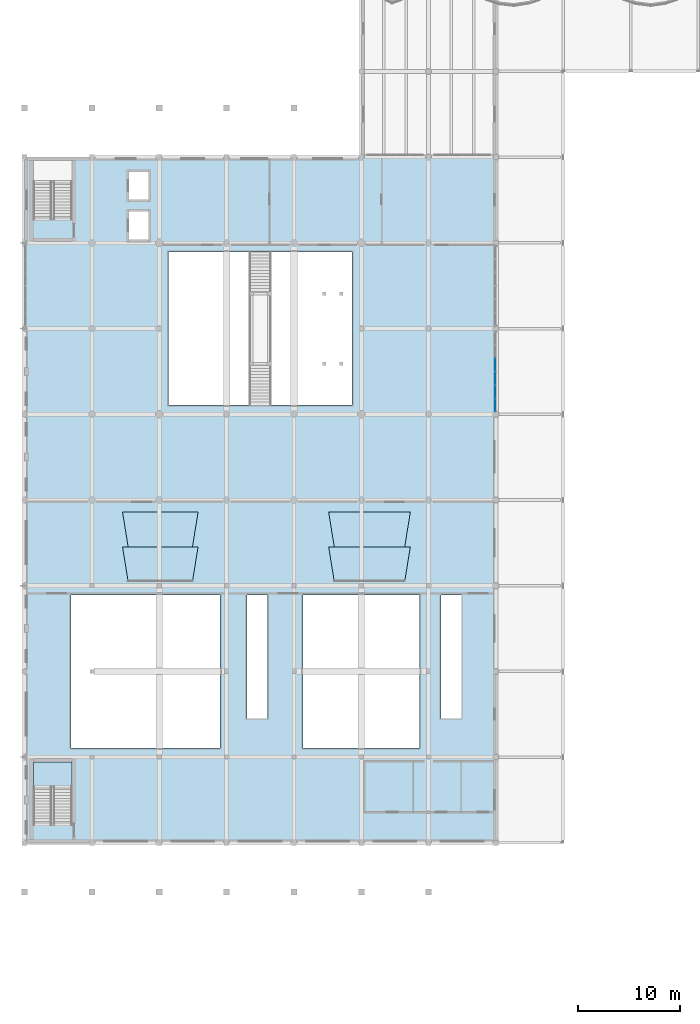
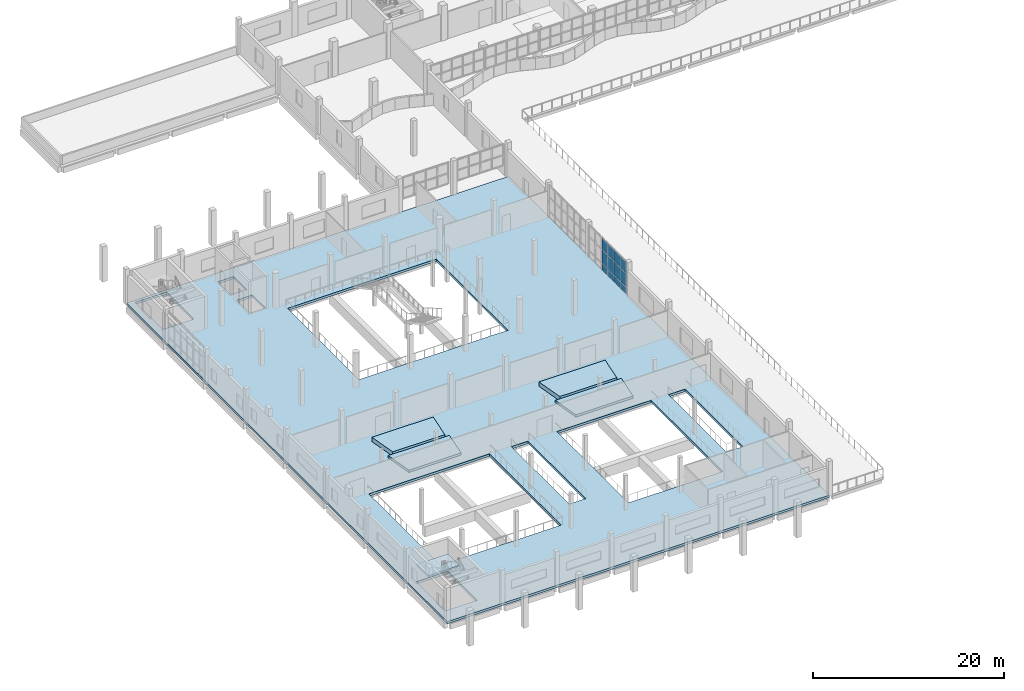
# One storey, part 35 of 83: 12 plates, 6 slabs, 2 elements without a shape of their own.
"""IFC4 building model written with IfcOpenShell, lengths in metres."""

import ifcopenshell
import ifcopenshell.guid

model = None  # the IFC model being written
_history = None  # IfcOwnerHistory: only IFC2X3 demands one
_inside = {}  # id of a spatial element -> (the spatial element, [elements in it])
_under = {}  # id of a project, library or spatial element -> (it, [spatial elements below it])
_declared = {}  # id of a project -> (the project, [libraries it declares])
_typed = {}  # id of a type object -> (the type object, [elements of that type])
_made_of = {}  # id of a material, layer set ... -> (it, [elements and type objects made of it])


def new_model(schema):
    """Start an empty IFC model of exactly this schema.

    Asked for "IFC4X3", IfcOpenShell would pick the latest addendum, in which some entities
    have other attributes; the version numbers below select the first issue.
    IFC2X3 requires an IfcOwnerHistory on every rooted entity: one is made here for all.
    """
    global model, _history
    if schema == "IFC4X3":
        model = ifcopenshell.file(schema_version=(4, 3, 0, 0))
    else:
        model = ifcopenshell.file(schema=schema)
    _inside.clear()
    _under.clear()
    _declared.clear()
    _typed.clear()
    _made_of.clear()
    _history = None
    if model.schema == "IFC2X3":
        org = make("IfcOrganization", Name="unknown")
        user = make(
            "IfcPersonAndOrganization",
            ThePerson=make("IfcPerson", FamilyName="unknown"),
            TheOrganization=org,
        )
        app = make(
            "IfcApplication",
            ApplicationDeveloper=org,
            Version="unknown",
            ApplicationFullName="unknown",
            ApplicationIdentifier="unknown",
        )
        _history = make(
            "IfcOwnerHistory",
            OwningUser=user,
            OwningApplication=app,
            ChangeAction="ADDED",
            CreationDate=0,
        )
    return model


def make(cls, **values):
    """One entity of the class cls with the attributes given. An attribute that is None is left unset."""
    return model.create_entity(
        cls, **{name: value for name, value in values.items() if value is not None}
    )


def rooted(cls, **values):
    """An entity with a GlobalId (a new one), such as an element, a storey or a relation."""
    return make(cls, GlobalId=ifcopenshell.guid.new(), OwnerHistory=_history, **values)


def si_unit(unit_type, name, prefix=None):
    """IfcSIUnit, for example si_unit("LENGTHUNIT", "METRE", prefix="MILLI")."""
    return make("IfcSIUnit", UnitType=unit_type, Prefix=prefix, Name=name)


def assignment(units):
    """IfcUnitAssignment: the units of a project."""
    return None if units is None else make("IfcUnitAssignment", Units=units)


def point(xyz):
    """IfcCartesianPoint."""
    return None if xyz is None else make("IfcCartesianPoint", Coordinates=xyz)


def direction(xyz):
    """IfcDirection."""
    return None if xyz is None else make("IfcDirection", DirectionRatios=xyz)


def frame(location, z_axis=None, x_axis=None):
    """IfcAxis2Placement3D, a coordinate frame: its origin and axes. An axis left out is left unset."""
    return make(
        "IfcAxis2Placement3D",
        Location=point(location),
        Axis=direction(z_axis),
        RefDirection=direction(x_axis),
    )


def frame_2d(location, x_axis=None):
    """IfcAxis2Placement2D, a coordinate frame in the plane: its origin and x axis."""
    return make(
        "IfcAxis2Placement2D", Location=point(location), RefDirection=direction(x_axis)
    )


def origin():
    """The frame at (0, 0, 0) with its axes left unset."""
    return frame((0.0, 0.0, 0.0))


def origin_2d():
    """The frame at (0, 0) in the plane with its x axis left unset."""
    return frame_2d((0.0, 0.0))


def place(relative_to, where):
    """IfcLocalPlacement: puts the frame where relative to a parent placement (None: the world)."""
    return make(
        "IfcLocalPlacement", PlacementRelTo=relative_to, RelativePlacement=where
    )


def context(
    kind, dimensions, precision=None, world=None, true_north=None, identifier=None
):
    """IfcGeometricRepresentationContext, for example the 3D "Model" context."""
    return make(
        "IfcGeometricRepresentationContext",
        ContextIdentifier=identifier,
        ContextType=kind,
        CoordinateSpaceDimension=dimensions,
        Precision=precision,
        WorldCoordinateSystem=world,
        TrueNorth=true_north,
    )


def subcontext(parent, identifier, kind, view, scale=None):
    """IfcGeometricRepresentationSubContext, for example "Body" below "Model"."""
    return make(
        "IfcGeometricRepresentationSubContext",
        ContextIdentifier=identifier,
        ContextType=kind,
        ParentContext=parent,
        TargetScale=scale,
        TargetView=view,
    )


def project(units=None, contexts=None):
    """IfcProject with its units and contexts."""
    return rooted(
        "IfcProject",
        Name="project",
        RepresentationContexts=contexts,
        UnitsInContext=assignment(units),
    )


def spatial(cls, under=None, at=None, **own):
    """A site, building, storey or space (cls), placed at a placement, below another one or the project."""
    s = rooted(cls, ObjectPlacement=at, **own)
    if under is not None:
        _under.setdefault(under.id(), (under, []))[1].append(s)
    return s


def polyline(points):
    """IfcPolyline through the points."""
    return make("IfcPolyline", Points=[point(p) for p in points])


def profile(cls, at=None, kind="AREA", **sizes):
    """A parametric profile (cls). Its sizes go by their IFC names, for example OverallWidth=200.0."""
    return make(cls, ProfileType=kind, Position=at, **sizes)


def rectangle(**sizes):
    """IfcRectangleProfileDef."""
    return profile("IfcRectangleProfileDef", **sizes)


def outline(outer, holes=None, kind="AREA"):
    """IfcArbitraryClosedProfileDef: a profile drawn as a closed curve; with holes, ...WithVoids."""
    if holes is None:
        return make("IfcArbitraryClosedProfileDef", ProfileType=kind, OuterCurve=outer)
    return make(
        "IfcArbitraryProfileDefWithVoids",
        ProfileType=kind,
        OuterCurve=outer,
        InnerCurves=holes,
    )


def extrude(swept, where, along, depth):
    """IfcExtrudedAreaSolid: the profile swept, set in the frame where, extruded along a direction by depth."""
    return make(
        "IfcExtrudedAreaSolid",
        SweptArea=swept,
        Position=where,
        ExtrudedDirection=direction(along),
        Depth=depth,
    )


def shape(context_of_items, identifier, shape_type, items):
    """IfcShapeRepresentation: the items that make up one representation, for example the "Body"."""
    return make(
        "IfcShapeRepresentation",
        ContextOfItems=context_of_items,
        RepresentationIdentifier=identifier,
        RepresentationType=shape_type,
        Items=items,
    )


def material(Name=None, Category=None):
    """IfcMaterial."""
    return make("IfcMaterial", Name=Name, Category=Category)


def layer(
    of_material, thickness, ventilated=None, Name=None, Category=None, Priority=None
):
    """IfcMaterialLayer: one layer of a wall or slab, of a material (None: an air gap)."""
    return make(
        "IfcMaterialLayer",
        Material=of_material,
        LayerThickness=thickness,
        IsVentilated=ventilated,
        Name=Name,
        Category=Category,
        Priority=Priority,
    )


def layer_set(layers, Name=None):
    """IfcMaterialLayerSet."""
    return make("IfcMaterialLayerSet", MaterialLayers=layers, LayerSetName=Name)


def made_of(thing, what):
    """Note that an element or type object is made of a material, layer set ...; save() writes the relation."""
    if what is not None:
        _made_of.setdefault(what.id(), (what, []))[1].append(thing)
    return thing


def type_object(cls, material=None, **own):
    """A type object (cls), such as IfcWallType, which elements share."""
    return made_of(rooted(cls, **own), material)


def element(
    cls,
    number,
    at=None,
    inside=None,
    cuts=None,
    type_object=None,
    material=None,
    context=None,
    identifier="Body",
    shape_type=None,
    held_by="IfcProductDefinitionShape",
    body=None,
    shapes=None,
    **own,
):
    """One element of the class cls, such as IfcWall. Its Tag is "e" and its number.

    at: its placement. inside: the storey or other place that contains it. cuts: it is an
    opening in that element (IfcRelVoidsElement). A single representation is given by context,
    identifier, shape_type and body (its items); several are given by shapes. held_by: the class
    of the entity that holds the representations. save() writes the other relations.
    """
    e = rooted(cls, Tag="e%d" % number, ObjectPlacement=at, **own)
    if body is not None:
        shapes = [shape(context, identifier, shape_type, body)]
    if shapes is not None:
        e.Representation = make(held_by, Representations=shapes)
    if inside is not None:
        _inside.setdefault(inside.id(), (inside, []))[1].append(e)
    if cuts is not None:
        rooted(
            "IfcRelVoidsElement", RelatingBuildingElement=cuts, RelatedOpeningElement=e
        )
    if type_object is not None:
        _typed.setdefault(type_object.id(), (type_object, []))[1].append(e)
    return made_of(e, material)


def aggregate(whole, parts):
    """IfcRelAggregates: a whole, such as a stair, and the parts it consists of."""
    return rooted("IfcRelAggregates", RelatingObject=whole, RelatedObjects=parts)


def save(model, path):
    """Write the relations noted so far, then the file.

    IfcRelAggregates (storeys below a building ...), IfcRelContainedInSpatialStructure (elements
    in a storey), IfcRelDefinesByType, IfcRelAssociatesMaterial and IfcRelDeclares: one each for
    every whole, place, type object, material and project.
    """
    for whole, parts in _under.values():
        aggregate(whole, parts)
    for where, things in _inside.values():
        rooted(
            "IfcRelContainedInSpatialStructure",
            RelatedElements=things,
            RelatingStructure=where,
        )
    for kind, things in _typed.values():
        rooted("IfcRelDefinesByType", RelatedObjects=things, RelatingType=kind)
    for what, things in _made_of.values():
        rooted("IfcRelAssociatesMaterial", RelatedObjects=things, RelatingMaterial=what)
    for by, libraries in _declared.values():
        rooted("IfcRelDeclares", RelatingContext=by, RelatedDefinitions=libraries)
    model.write(path)


model = new_model("IFC4")

# Units and contexts
model_context = context("Model", 3, precision=1e-05, world=origin(), true_north=direction((0.0, 1.0)))
body_context = subcontext(model_context, "Body", "Model", "MODEL_VIEW")
ifc_project = project(units=[si_unit("LENGTHUNIT", "METRE"), si_unit("AREAUNIT", "SQUARE_METRE"), si_unit("VOLUMEUNIT", "CUBIC_METRE"), si_unit("PLANEANGLEUNIT", "RADIAN"), si_unit("MASSUNIT", "GRAM", prefix="KILO")], contexts=[model_context])

# Site, building, storey
site_placement = place(None, origin())
site = spatial("IfcSite", under=ifc_project, at=site_placement, CompositionType="ELEMENT")
building_placement = place(site_placement, origin())
building = spatial("IfcBuilding", under=site, at=building_placement, Name="Qaldarim Faculty of Natural and Applied Sciences", CompositionType="ELEMENT")
storey_placement = place(building_placement, frame((0.0, 0.0, 5.39990234375)))
storey = spatial("IfcBuildingStorey", under=building, at=storey_placement, Name="L01", CompositionType="ELEMENT", Elevation=5.39990234375)

# Slab
ifc_material_1 = material(Name="Concrete C40/50", Category="concrete")
ifc_layer_1 = layer(ifc_material_1, 0.300048828125)
ifc_layer_set_1 = layer_set([ifc_layer_1], Name="Concrete C40/50")
slab_type_1 = type_object("IfcSlabType", Name="PodiumFloorSlab-300", PredefinedType="FLOOR", material=ifc_layer_set_1)
slab_1_placement = place(storey_placement, frame((0.0, 0.0, -0.2998046875)))
element("IfcSlab", 1, at=slab_1_placement, inside=storey, type_object=slab_type_1, Name="Floor slab L01 WEST", PredefinedType="FLOOR", context=body_context, shape_type="SweptSolid", body=[
    extrude(outline(polyline([(0.0, 16.800048828125), (0.0, 84.0), (46.199951171875, 84.0), (46.199951171875, 16.800048828125), (0.0, 16.800048828125)]), holes=[polyline([(4.64990234375, 18.614990234375), (4.64990234375, 24.72509765625), (0.85009765625, 24.72509765625), (0.85009765625, 18.614990234375), (4.64990234375, 18.614990234375)]), polyline([(4.64990234375, 77.9150390625), (4.64990234375, 83.6201171875), (0.85009765625, 83.6201171875), (0.85009765625, 77.9150390625), (4.64990234375, 77.9150390625)]), polyline([(10.25, 75.949951171875), (12.14990234375, 75.949951171875), (12.14990234375, 78.64990234375), (10.25, 78.64990234375), (10.25, 75.949951171875)]), polyline([(10.25, 79.85009765625), (12.14990234375, 79.85009765625), (12.14990234375, 82.550048828125), (10.25, 82.550048828125), (10.25, 79.85009765625)]), polyline([(14.10009765625, 59.699951171875), (32.10009765625, 59.699951171875), (32.10009765625, 74.699951171875), (14.10009765625, 74.699951171875), (14.10009765625, 59.699951171875)]), polyline([(4.550048828125, 26.10009765625), (19.14990234375, 26.10009765625), (19.14990234375, 41.10009765625), (4.550048828125, 41.10009765625), (4.550048828125, 26.10009765625)]), polyline([(27.300048828125, 26.10009765625), (38.699951171875, 26.10009765625), (38.699951171875, 41.10009765625), (27.300048828125, 41.10009765625), (27.300048828125, 26.10009765625)]), polyline([(21.800048828125, 29.0), (23.800048828125, 29.0), (23.800048828125, 41.10009765625), (21.800048828125, 41.10009765625), (21.800048828125, 29.0)]), polyline([(40.800048828125, 29.0), (42.800048828125, 29.0), (42.800048828125, 41.10009765625), (40.800048828125, 41.10009765625), (40.800048828125, 29.0)])]), origin(), (0.0, 0.0, 1.0), 0.2998046875),
])

# Stair, slab
stair_type = type_object("IfcStairType", Name="DoglegStair-W1800-H4500-28R", PredefinedType="HALF_TURN_STAIR", material=ifc_material_1)
stair_placement = place(storey_placement, origin())
stair = element("IfcStair", 2, at=stair_placement, inside=storey, type_object=stair_type, Name="Enclosed exit stair ST-D1 L01", PredefinedType="HALF_TURN_STAIR")
ifc_layer_2 = layer(ifc_material_1, 0.2099609375)
ifc_layer_set_2 = layer_set([ifc_layer_2], Name="Concrete C40/50")
slab_type_2 = type_object("IfcSlabType", Name="StairLandingSlab-210", PredefinedType="LANDING", material=ifc_layer_set_2)
slab_2_placement = place(storey_placement, frame((0.0, 0.0, 2.0400390625)))
slab_2 = element("IfcSlab", 3, at=slab_2_placement, type_object=slab_type_2, Name="ST-D1 L01 half-landing 1", PredefinedType="LANDING", context=body_context, shape_type="SweptSolid", body=[
    extrude(outline(polyline([(4.64990234375, 22.2900390625), (4.64990234375, 24.699951171875), (0.85009765625, 24.699951171875), (0.85009765625, 22.2900390625), (4.64990234375, 22.2900390625)])), origin(), (0.0, 0.0, 1.0), 0.2099609375),
])
aggregate(stair, [slab_2])

# Slabs
ifc_layer_3 = layer(ifc_material_1, 0.280029296875)
ifc_layer_set_3 = layer_set([ifc_layer_3], Name="Concrete C40/50")
slab_type_3 = type_object("IfcSlabType", Name="UpperSeatingTier-280", PredefinedType="USERDEFINED", material=ifc_layer_set_3)
slab_3_placement = place(storey_placement, origin())
element("IfcSlab", 4, at=slab_3_placement, inside=storey, type_object=slab_type_3, Name="Stand lecture theatre 1 upper seating tier 1 vomitory platform", ObjectType="SEATING TIER", PredefinedType="USERDEFINED", context=body_context, shape_type="SweptSolid", body=[
    extrude(outline(polyline([(10.14990234375, 42.39990234375), (16.449951171875, 42.39990234375), (17.0, 45.800048828125), (9.60009765625, 45.800048828125), (10.14990234375, 42.39990234375)])), origin(), (0.0, 0.0, 1.0), 0.280029296875),
])
slab_4_placement = place(storey_placement, origin())
element("IfcSlab", 5, at=slab_4_placement, inside=storey, type_object=slab_type_3, Name="Stand lecture theatre 1 upper seating tier 2 vomitory platform", ObjectType="SEATING TIER", PredefinedType="USERDEFINED", context=body_context, shape_type="SweptSolid", body=[
    extrude(outline(polyline([(10.14990234375, 45.800048828125), (16.449951171875, 45.800048828125), (17.0, 49.199951171875), (9.60009765625, 49.199951171875), (10.14990234375, 45.800048828125)])), origin(), (0.0, 0.0, 1.0), 0.56005859375),
])
slab_5_placement = place(storey_placement, origin())
element("IfcSlab", 6, at=slab_5_placement, inside=storey, type_object=slab_type_3, Name="Stand lecture theatre 2 upper seating tier 1 vomitory platform", ObjectType="SEATING TIER", PredefinedType="USERDEFINED", context=body_context, shape_type="SweptSolid", body=[
    extrude(outline(polyline([(30.35009765625, 42.39990234375), (37.25, 42.39990234375), (37.800048828125, 45.800048828125), (29.800048828125, 45.800048828125), (30.35009765625, 42.39990234375)])), origin(), (0.0, 0.0, 1.0), 0.280029296875),
])
slab_6_placement = place(storey_placement, origin())
element("IfcSlab", 7, at=slab_6_placement, inside=storey, type_object=slab_type_3, Name="Stand lecture theatre 2 upper seating tier 2 vomitory platform", ObjectType="SEATING TIER", PredefinedType="USERDEFINED", context=body_context, shape_type="SweptSolid", body=[
    extrude(outline(polyline([(30.35009765625, 45.800048828125), (37.25, 45.800048828125), (37.800048828125, 49.199951171875), (29.800048828125, 49.199951171875), (30.35009765625, 45.800048828125)])), origin(), (0.0, 0.0, 1.0), 0.56005859375),
])

# Curtain wall, plates
ifc_material_2 = material(Name="Anodised aluminium AW-6063", Category="aluminium")
curtain_wall_type = type_object("IfcCurtainWallType", Name="CurtainWallSystem-M1300", PredefinedType="USERDEFINED", material=ifc_material_2)
curtain_wall_placement = place(storey_placement, origin())
curtain_wall = element("IfcCurtainWall", 8, at=curtain_wall_placement, inside=storey, type_object=curtain_wall_type, Name="Curtain wall CW-L01-E-X07Y08", ObjectType="STICK CURTAIN WALL", PredefinedType="USERDEFINED")
ifc_material_3 = material(Name="Insulated low-e double glazing", Category="glass")
ifc_layer_4 = layer(ifc_material_3, 0.028076171875)
ifc_layer_set_4 = layer_set([ifc_layer_4], Name="Insulated low-e double glazing")
plate_type = type_object("IfcPlateType", Name="VisionGlazingPanel-28", PredefinedType="CURTAIN_PANEL", material=ifc_layer_set_4)
plate_1_placement = place(storey_placement, frame((46.1201171875, 59.71923828125, 0.06005859375), z_axis=(0.0, 0.0, 1.0), x_axis=(0.0, 1.0, 0.0)))
plate_1 = element("IfcPlate", 9, at=plate_1_placement, type_object=plate_type, Name="Glazed panel 1-1 of CW-L01-E-X07Y08", PredefinedType="CURTAIN_PANEL", context=body_context, shape_type="SweptSolid", body=[
    extrude(rectangle(XDim=1.228271484375, YDim=0.028076171875, at=origin_2d()), origin(), (0.0, 0.0, 1.0), 0.81005859375),
])
plate_2_placement = place(storey_placement, frame((46.1201171875, 59.71923828125, 0.93017578125), z_axis=(0.0, 0.0, 1.0), x_axis=(0.0, 1.0, 0.0)))
plate_2 = element("IfcPlate", 10, at=plate_2_placement, type_object=plate_type, Name="Glazed panel 1-2 of CW-L01-E-X07Y08", PredefinedType="CURTAIN_PANEL", context=body_context, shape_type="SweptSolid", body=[
    extrude(rectangle(XDim=1.228271484375, YDim=0.028076171875, at=origin_2d()), origin(), (0.0, 0.0, 1.0), 1.739990234375),
])
plate_3_placement = place(storey_placement, frame((46.1201171875, 59.71923828125, 2.72998046875), z_axis=(0.0, 0.0, 1.0), x_axis=(0.0, 1.0, 0.0)))
plate_3 = element("IfcPlate", 11, at=plate_3_placement, type_object=plate_type, Name="Glazed panel 1-3 of CW-L01-E-X07Y08", PredefinedType="CURTAIN_PANEL", context=body_context, shape_type="SweptSolid", body=[
    extrude(rectangle(XDim=1.228271484375, YDim=0.028076171875, at=origin_2d()), origin(), (0.0, 0.0, 1.0), 1.409912109375),
])
plate_4_placement = place(storey_placement, frame((46.1201171875, 61.0224609375, 0.06005859375), z_axis=(0.0, 0.0, 1.0), x_axis=(0.0, 1.0, 0.0)))
plate_4 = element("IfcPlate", 12, at=plate_4_placement, type_object=plate_type, Name="Glazed panel 2-1 of CW-L01-E-X07Y08", PredefinedType="CURTAIN_PANEL", context=body_context, shape_type="SweptSolid", body=[
    extrude(rectangle(XDim=1.25830078125, YDim=0.028076171875, at=origin_2d()), origin(), (0.0, 0.0, 1.0), 0.81005859375),
])
plate_5_placement = place(storey_placement, frame((46.1201171875, 61.0224609375, 0.93017578125), z_axis=(0.0, 0.0, 1.0), x_axis=(0.0, 1.0, 0.0)))
plate_5 = element("IfcPlate", 13, at=plate_5_placement, type_object=plate_type, Name="Glazed panel 2-2 of CW-L01-E-X07Y08", PredefinedType="CURTAIN_PANEL", context=body_context, shape_type="SweptSolid", body=[
    extrude(rectangle(XDim=1.25830078125, YDim=0.028076171875, at=origin_2d()), origin(), (0.0, 0.0, 1.0), 1.739990234375),
])
plate_6_placement = place(storey_placement, frame((46.1201171875, 61.0224609375, 2.72998046875), z_axis=(0.0, 0.0, 1.0), x_axis=(0.0, 1.0, 0.0)))
plate_6 = element("IfcPlate", 14, at=plate_6_placement, type_object=plate_type, Name="Glazed panel 2-3 of CW-L01-E-X07Y08", PredefinedType="CURTAIN_PANEL", context=body_context, shape_type="SweptSolid", body=[
    extrude(rectangle(XDim=1.25830078125, YDim=0.028076171875, at=origin_2d()), origin(), (0.0, 0.0, 1.0), 1.409912109375),
])
plate_7_placement = place(storey_placement, frame((46.1201171875, 62.3408203125, 0.06005859375), z_axis=(0.0, 0.0, 1.0), x_axis=(0.0, 1.0, 0.0)))
plate_7 = element("IfcPlate", 15, at=plate_7_placement, type_object=plate_type, Name="Glazed panel 3-1 of CW-L01-E-X07Y08", PredefinedType="CURTAIN_PANEL", context=body_context, shape_type="SweptSolid", body=[
    extrude(rectangle(XDim=1.25830078125, YDim=0.028076171875, at=origin_2d()), origin(), (0.0, 0.0, 1.0), 0.81005859375),
])
plate_8_placement = place(storey_placement, frame((46.1201171875, 62.3408203125, 0.93017578125), z_axis=(0.0, 0.0, 1.0), x_axis=(0.0, 1.0, 0.0)))
plate_8 = element("IfcPlate", 16, at=plate_8_placement, type_object=plate_type, Name="Glazed panel 3-2 of CW-L01-E-X07Y08", PredefinedType="CURTAIN_PANEL", context=body_context, shape_type="SweptSolid", body=[
    extrude(rectangle(XDim=1.25830078125, YDim=0.028076171875, at=origin_2d()), origin(), (0.0, 0.0, 1.0), 1.739990234375),
])
plate_9_placement = place(storey_placement, frame((46.1201171875, 62.3408203125, 2.72998046875), z_axis=(0.0, 0.0, 1.0), x_axis=(0.0, 1.0, 0.0)))
plate_9 = element("IfcPlate", 17, at=plate_9_placement, type_object=plate_type, Name="Glazed panel 3-3 of CW-L01-E-X07Y08", PredefinedType="CURTAIN_PANEL", context=body_context, shape_type="SweptSolid", body=[
    extrude(rectangle(XDim=1.25830078125, YDim=0.028076171875, at=origin_2d()), origin(), (0.0, 0.0, 1.0), 1.409912109375),
])
plate_10_placement = place(storey_placement, frame((46.1201171875, 63.6591796875, 0.06005859375), z_axis=(0.0, 0.0, 1.0), x_axis=(0.0, 1.0, 0.0)))
plate_10 = element("IfcPlate", 18, at=plate_10_placement, type_object=plate_type, Name="Glazed panel 4-1 of CW-L01-E-X07Y08", PredefinedType="CURTAIN_PANEL", context=body_context, shape_type="SweptSolid", body=[
    extrude(rectangle(XDim=1.25830078125, YDim=0.028076171875, at=origin_2d()), origin(), (0.0, 0.0, 1.0), 0.81005859375),
])
plate_11_placement = place(storey_placement, frame((46.1201171875, 63.6591796875, 0.93017578125), z_axis=(0.0, 0.0, 1.0), x_axis=(0.0, 1.0, 0.0)))
plate_11 = element("IfcPlate", 19, at=plate_11_placement, type_object=plate_type, Name="Glazed panel 4-2 of CW-L01-E-X07Y08", PredefinedType="CURTAIN_PANEL", context=body_context, shape_type="SweptSolid", body=[
    extrude(rectangle(XDim=1.25830078125, YDim=0.028076171875, at=origin_2d()), origin(), (0.0, 0.0, 1.0), 1.739990234375),
])
plate_12_placement = place(storey_placement, frame((46.1201171875, 63.6591796875, 2.72998046875), z_axis=(0.0, 0.0, 1.0), x_axis=(0.0, 1.0, 0.0)))
plate_12 = element("IfcPlate", 20, at=plate_12_placement, type_object=plate_type, Name="Glazed panel 4-3 of CW-L01-E-X07Y08", PredefinedType="CURTAIN_PANEL", context=body_context, shape_type="SweptSolid", body=[
    extrude(rectangle(XDim=1.25830078125, YDim=0.028076171875, at=origin_2d()), origin(), (0.0, 0.0, 1.0), 1.409912109375),
])
aggregate(curtain_wall, [plate_1, plate_2, plate_3, plate_4, plate_5, plate_6, plate_7, plate_8, plate_9, plate_10, plate_11, plate_12])

save(model, "model.ifc")
